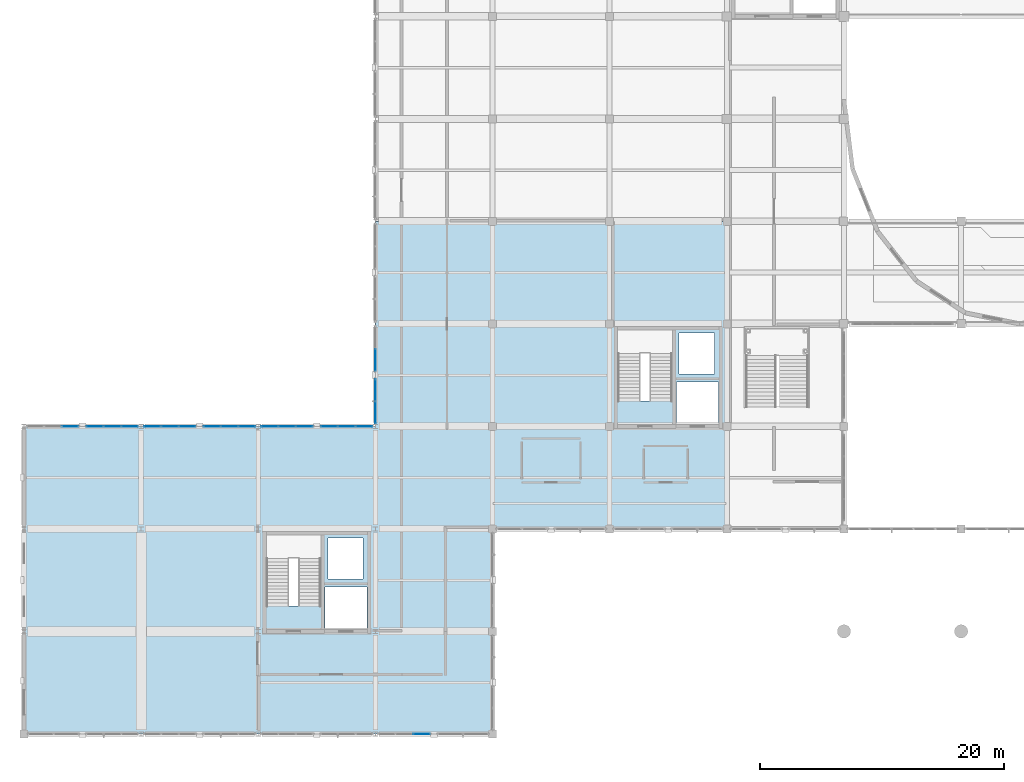
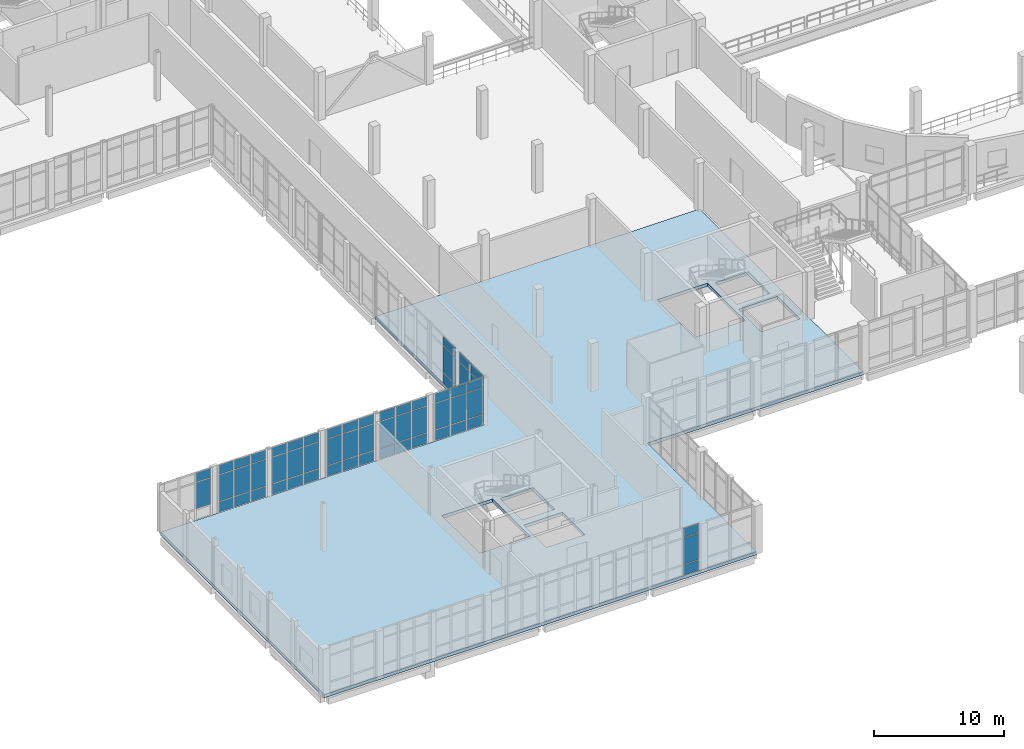
# One storey, part 75 of 102: 59 plates, 1 slab, 9 elements without a shape of their own.
"""IFC4 building model written with IfcOpenShell, lengths in metres."""

from ifc_helpers import new_model, si_unit, direction, frame, origin, origin_2d, place, context, subcontext, project, spatial, polyline, rectangle, outline, extrude, material, layer, layer_set, type_object, element, aggregate, save


model = new_model("IFC4")

# Units and contexts
model_context = context("Model", 3, precision=1e-05, world=origin(), true_north=direction((0.0, 1.0)))
body_context = subcontext(model_context, "Body", "Model", "MODEL_VIEW")
ifc_project = project(units=[si_unit("LENGTHUNIT", "METRE"), si_unit("AREAUNIT", "SQUARE_METRE"), si_unit("VOLUMEUNIT", "CUBIC_METRE"), si_unit("PLANEANGLEUNIT", "RADIAN"), si_unit("MASSUNIT", "GRAM", prefix="KILO")], contexts=[model_context])

# Site, building, storey
site_placement = place(None, origin())
site = spatial("IfcSite", under=ifc_project, at=site_placement, CompositionType="ELEMENT")
building_placement = place(site_placement, origin())
building = spatial("IfcBuilding", under=site, at=building_placement, Name="Lornevale Opera House", CompositionType="ELEMENT")
storey_placement = place(building_placement, frame((0.0, 0.0, 5.39990234375)))
storey = spatial("IfcBuildingStorey", under=building, at=storey_placement, Name="L02", CompositionType="ELEMENT", Elevation=5.39990234375)

# Curtain wall, plates
ifc_material_1 = material(Name="Anodized Oxide-Green Aluminium Framing", Category="aluminium")
ifc_layer_1 = layer(ifc_material_1, 0.175048828125)
ifc_layer_set_1 = layer_set([ifc_layer_1], Name="Anodized Oxide-Green Aluminium Framing")
curtain_wall_type = type_object("IfcCurtainWallType", Name="Chamber Cloister Curtain Wall M1700", PredefinedType="NOTDEFINED", material=ifc_layer_set_1)
curtain_wall_1_placement = place(storey_placement, origin())
curtain_wall_1 = element("IfcCurtainWall", 1, at=curtain_wall_1_placement, inside=storey, type_object=curtain_wall_type, Name="Chamber Cloister Curtain Wall M1700 CW-023", PredefinedType="NOTDEFINED")
ifc_material_2 = material(Name="Triple Low-E Insulated Glazing", Category="glass")
ifc_layer_2 = layer(ifc_material_2, 0.0419921875)
ifc_layer_set_2 = layer_set([ifc_layer_2], Name="Triple Low-E Insulated Glazing")
plate_type = type_object("IfcPlateType", Name="Ceramic Fritted Bird-Safe Panel 42", PredefinedType="CURTAIN_PANEL", material=ifc_layer_set_2)
plate_1_placement = place(storey_placement, frame((3.78271484375, 25.199951171875, 1.08251953125), z_axis=(0.0, 0.0, 1.0), x_axis=(1.0, 0.0, 0.0)))
plate_1 = element("IfcPlate", 2, at=plate_1_placement, type_object=plate_type, Name="Ceramic Fritted Bird-Safe Panel 42 CW0406", PredefinedType="CURTAIN_PANEL", context=body_context, shape_type="SweptSolid", body=[
    extrude(rectangle(XDim=1.3447265625, YDim=0.0419921875, at=origin_2d()), origin(), (0.0, 0.0, 1.0), 2.455078125),
])
plate_2_placement = place(storey_placement, frame((3.78271484375, 25.199951171875, 3.6025390625), z_axis=(0.0, 0.0, 1.0), x_axis=(1.0, 0.0, 0.0)))
plate_2 = element("IfcPlate", 3, at=plate_2_placement, type_object=plate_type, Name="Ceramic Fritted Bird-Safe Panel 42 CW0407", PredefinedType="CURTAIN_PANEL", context=body_context, shape_type="SweptSolid", body=[
    extrude(rectangle(XDim=1.3447265625, YDim=0.0419921875, at=origin_2d()), origin(), (0.0, 0.0, 1.0), 0.8525390625),
])
aggregate(curtain_wall_1, [plate_1, plate_2])

curtain_wall_2_placement = place(storey_placement, origin())
curtain_wall_2 = element("IfcCurtainWall", 4, at=curtain_wall_2_placement, inside=storey, type_object=curtain_wall_type, Name="Chamber Cloister Curtain Wall M1700 CW-024", PredefinedType="NOTDEFINED")
plate_3_placement = place(storey_placement, frame((5.8173828125, 25.199951171875, 0.0654296875), z_axis=(0.0, 0.0, 1.0), x_axis=(1.0, 0.0, 0.0)))
plate_3 = element("IfcPlate", 5, at=plate_3_placement, type_object=plate_type, Name="Ceramic Fritted Bird-Safe Panel 42 CW0416", PredefinedType="CURTAIN_PANEL", context=body_context, shape_type="SweptSolid", body=[
    extrude(rectangle(XDim=1.3447265625, YDim=0.0419921875, at=origin_2d()), origin(), (0.0, 0.0, 1.0), 0.952392578125),
])
plate_4_placement = place(storey_placement, frame((5.8173828125, 25.199951171875, 1.08251953125), z_axis=(0.0, 0.0, 1.0), x_axis=(1.0, 0.0, 0.0)))
plate_4 = element("IfcPlate", 6, at=plate_4_placement, type_object=plate_type, Name="Ceramic Fritted Bird-Safe Panel 42 CW0417", PredefinedType="CURTAIN_PANEL", context=body_context, shape_type="SweptSolid", body=[
    extrude(rectangle(XDim=1.3447265625, YDim=0.0419921875, at=origin_2d()), origin(), (0.0, 0.0, 1.0), 2.455078125),
])
plate_5_placement = place(storey_placement, frame((5.8173828125, 25.199951171875, 3.6025390625), z_axis=(0.0, 0.0, 1.0), x_axis=(1.0, 0.0, 0.0)))
plate_5 = element("IfcPlate", 7, at=plate_5_placement, type_object=plate_type, Name="Ceramic Fritted Bird-Safe Panel 42 CW0418", PredefinedType="CURTAIN_PANEL", context=body_context, shape_type="SweptSolid", body=[
    extrude(rectangle(XDim=1.3447265625, YDim=0.0419921875, at=origin_2d()), origin(), (0.0, 0.0, 1.0), 0.8525390625),
])
plate_6_placement = place(storey_placement, frame((7.243408203125, 25.199951171875, 0.0654296875), z_axis=(0.0, 0.0, 1.0), x_axis=(1.0, 0.0, 0.0)))
plate_6 = element("IfcPlate", 8, at=plate_6_placement, type_object=plate_type, Name="Ceramic Fritted Bird-Safe Panel 42 CW0423", PredefinedType="CURTAIN_PANEL", context=body_context, shape_type="SweptSolid", body=[
    extrude(rectangle(XDim=1.377197265625, YDim=0.0419921875, at=origin_2d()), origin(), (0.0, 0.0, 1.0), 0.952392578125),
])
plate_7_placement = place(storey_placement, frame((7.243408203125, 25.199951171875, 1.08251953125), z_axis=(0.0, 0.0, 1.0), x_axis=(1.0, 0.0, 0.0)))
plate_7 = element("IfcPlate", 9, at=plate_7_placement, type_object=plate_type, Name="Ceramic Fritted Bird-Safe Panel 42 CW0424", PredefinedType="CURTAIN_PANEL", context=body_context, shape_type="SweptSolid", body=[
    extrude(rectangle(XDim=1.377197265625, YDim=0.0419921875, at=origin_2d()), origin(), (0.0, 0.0, 1.0), 2.455078125),
])
plate_8_placement = place(storey_placement, frame((7.243408203125, 25.199951171875, 3.6025390625), z_axis=(0.0, 0.0, 1.0), x_axis=(1.0, 0.0, 0.0)))
plate_8 = element("IfcPlate", 10, at=plate_8_placement, type_object=plate_type, Name="Ceramic Fritted Bird-Safe Panel 42 CW0425", PredefinedType="CURTAIN_PANEL", context=body_context, shape_type="SweptSolid", body=[
    extrude(rectangle(XDim=1.377197265625, YDim=0.0419921875, at=origin_2d()), origin(), (0.0, 0.0, 1.0), 0.8525390625),
])
plate_9_placement = place(storey_placement, frame((8.669677734375, 25.199951171875, 0.0654296875), z_axis=(0.0, 0.0, 1.0), x_axis=(1.0, 0.0, 0.0)))
plate_9 = element("IfcPlate", 11, at=plate_9_placement, type_object=plate_type, Name="Ceramic Fritted Bird-Safe Panel 42 CW0430", PredefinedType="CURTAIN_PANEL", context=body_context, shape_type="SweptSolid", body=[
    extrude(rectangle(XDim=1.3447265625, YDim=0.0419921875, at=origin_2d()), origin(), (0.0, 0.0, 1.0), 0.952392578125),
])
plate_10_placement = place(storey_placement, frame((8.669677734375, 25.199951171875, 1.08251953125), z_axis=(0.0, 0.0, 1.0), x_axis=(1.0, 0.0, 0.0)))
plate_10 = element("IfcPlate", 12, at=plate_10_placement, type_object=plate_type, Name="Ceramic Fritted Bird-Safe Panel 42 CW0431", PredefinedType="CURTAIN_PANEL", context=body_context, shape_type="SweptSolid", body=[
    extrude(rectangle(XDim=1.3447265625, YDim=0.0419921875, at=origin_2d()), origin(), (0.0, 0.0, 1.0), 2.455078125),
])
plate_11_placement = place(storey_placement, frame((8.669677734375, 25.199951171875, 3.6025390625), z_axis=(0.0, 0.0, 1.0), x_axis=(1.0, 0.0, 0.0)))
plate_11 = element("IfcPlate", 13, at=plate_11_placement, type_object=plate_type, Name="Ceramic Fritted Bird-Safe Panel 42 CW0432", PredefinedType="CURTAIN_PANEL", context=body_context, shape_type="SweptSolid", body=[
    extrude(rectangle(XDim=1.3447265625, YDim=0.0419921875, at=origin_2d()), origin(), (0.0, 0.0, 1.0), 0.8525390625),
])
aggregate(curtain_wall_2, [plate_3, plate_4, plate_5, plate_6, plate_7, plate_8, plate_9, plate_10, plate_11])

curtain_wall_3_placement = place(storey_placement, origin())
curtain_wall_3 = element("IfcCurtainWall", 14, at=curtain_wall_3_placement, inside=storey, type_object=curtain_wall_type, Name="Chamber Cloister Curtain Wall M1700 CW-031", PredefinedType="NOTDEFINED")
plate_12_placement = place(storey_placement, frame((10.530517578125, 25.199951171875, 0.0654296875), z_axis=(0.0, 0.0, 1.0), x_axis=(1.0, 0.0, 0.0)))
plate_12 = element("IfcPlate", 15, at=plate_12_placement, type_object=plate_type, Name="Ceramic Fritted Bird-Safe Panel 42 CW0591", PredefinedType="CURTAIN_PANEL", context=body_context, shape_type="SweptSolid", body=[
    extrude(rectangle(XDim=1.3447265625, YDim=0.0419921875, at=origin_2d()), origin(), (0.0, 0.0, 1.0), 0.952392578125),
])
plate_13_placement = place(storey_placement, frame((10.530517578125, 25.199951171875, 1.08251953125), z_axis=(0.0, 0.0, 1.0), x_axis=(1.0, 0.0, 0.0)))
plate_13 = element("IfcPlate", 16, at=plate_13_placement, type_object=plate_type, Name="Ceramic Fritted Bird-Safe Panel 42 CW0592", PredefinedType="CURTAIN_PANEL", context=body_context, shape_type="SweptSolid", body=[
    extrude(rectangle(XDim=1.3447265625, YDim=0.0419921875, at=origin_2d()), origin(), (0.0, 0.0, 1.0), 2.455078125),
])
plate_14_placement = place(storey_placement, frame((10.530517578125, 25.199951171875, 3.6025390625), z_axis=(0.0, 0.0, 1.0), x_axis=(1.0, 0.0, 0.0)))
plate_14 = element("IfcPlate", 17, at=plate_14_placement, type_object=plate_type, Name="Ceramic Fritted Bird-Safe Panel 42 CW0593", PredefinedType="CURTAIN_PANEL", context=body_context, shape_type="SweptSolid", body=[
    extrude(rectangle(XDim=1.3447265625, YDim=0.0419921875, at=origin_2d()), origin(), (0.0, 0.0, 1.0), 0.8525390625),
])
plate_15_placement = place(storey_placement, frame((11.95654296875, 25.199951171875, 0.0654296875), z_axis=(0.0, 0.0, 1.0), x_axis=(1.0, 0.0, 0.0)))
plate_15 = element("IfcPlate", 18, at=plate_15_placement, type_object=plate_type, Name="Ceramic Fritted Bird-Safe Panel 42 CW0598", PredefinedType="CURTAIN_PANEL", context=body_context, shape_type="SweptSolid", body=[
    extrude(rectangle(XDim=1.377197265625, YDim=0.0419921875, at=origin_2d()), origin(), (0.0, 0.0, 1.0), 0.952392578125),
])
plate_16_placement = place(storey_placement, frame((11.95654296875, 25.199951171875, 1.08251953125), z_axis=(0.0, 0.0, 1.0), x_axis=(1.0, 0.0, 0.0)))
plate_16 = element("IfcPlate", 19, at=plate_16_placement, type_object=plate_type, Name="Ceramic Fritted Bird-Safe Panel 42 CW0599", PredefinedType="CURTAIN_PANEL", context=body_context, shape_type="SweptSolid", body=[
    extrude(rectangle(XDim=1.377197265625, YDim=0.0419921875, at=origin_2d()), origin(), (0.0, 0.0, 1.0), 2.455078125),
])
plate_17_placement = place(storey_placement, frame((11.95654296875, 25.199951171875, 3.6025390625), z_axis=(0.0, 0.0, 1.0), x_axis=(1.0, 0.0, 0.0)))
plate_17 = element("IfcPlate", 20, at=plate_17_placement, type_object=plate_type, Name="Ceramic Fritted Bird-Safe Panel 42 CW0600", PredefinedType="CURTAIN_PANEL", context=body_context, shape_type="SweptSolid", body=[
    extrude(rectangle(XDim=1.377197265625, YDim=0.0419921875, at=origin_2d()), origin(), (0.0, 0.0, 1.0), 0.8525390625),
])
plate_18_placement = place(storey_placement, frame((13.382568359375, 25.199951171875, 0.0654296875), z_axis=(0.0, 0.0, 1.0), x_axis=(1.0, 0.0, 0.0)))
plate_18 = element("IfcPlate", 21, at=plate_18_placement, type_object=plate_type, Name="Ceramic Fritted Bird-Safe Panel 42 CW0605", PredefinedType="CURTAIN_PANEL", context=body_context, shape_type="SweptSolid", body=[
    extrude(rectangle(XDim=1.3447265625, YDim=0.0419921875, at=origin_2d()), origin(), (0.0, 0.0, 1.0), 0.952392578125),
])
plate_19_placement = place(storey_placement, frame((13.382568359375, 25.199951171875, 1.08251953125), z_axis=(0.0, 0.0, 1.0), x_axis=(1.0, 0.0, 0.0)))
plate_19 = element("IfcPlate", 22, at=plate_19_placement, type_object=plate_type, Name="Ceramic Fritted Bird-Safe Panel 42 CW0606", PredefinedType="CURTAIN_PANEL", context=body_context, shape_type="SweptSolid", body=[
    extrude(rectangle(XDim=1.3447265625, YDim=0.0419921875, at=origin_2d()), origin(), (0.0, 0.0, 1.0), 2.455078125),
])
plate_20_placement = place(storey_placement, frame((13.382568359375, 25.199951171875, 3.6025390625), z_axis=(0.0, 0.0, 1.0), x_axis=(1.0, 0.0, 0.0)))
plate_20 = element("IfcPlate", 23, at=plate_20_placement, type_object=plate_type, Name="Ceramic Fritted Bird-Safe Panel 42 CW0607", PredefinedType="CURTAIN_PANEL", context=body_context, shape_type="SweptSolid", body=[
    extrude(rectangle(XDim=1.3447265625, YDim=0.0419921875, at=origin_2d()), origin(), (0.0, 0.0, 1.0), 0.8525390625),
])
aggregate(curtain_wall_3, [plate_12, plate_13, plate_14, plate_15, plate_16, plate_17, plate_18, plate_19, plate_20])

curtain_wall_4_placement = place(storey_placement, origin())
curtain_wall_4 = element("IfcCurtainWall", 24, at=curtain_wall_4_placement, inside=storey, type_object=curtain_wall_type, Name="Chamber Cloister Curtain Wall M1700 CW-032", PredefinedType="NOTDEFINED")
plate_21_placement = place(storey_placement, frame((15.41748046875, 25.199951171875, 0.0654296875), z_axis=(0.0, 0.0, 1.0), x_axis=(1.0, 0.0, 0.0)))
plate_21 = element("IfcPlate", 25, at=plate_21_placement, type_object=plate_type, Name="Ceramic Fritted Bird-Safe Panel 42 CW0616", PredefinedType="CURTAIN_PANEL", context=body_context, shape_type="SweptSolid", body=[
    extrude(rectangle(XDim=1.3447265625, YDim=0.0419921875, at=origin_2d()), origin(), (0.0, 0.0, 1.0), 0.952392578125),
])
plate_22_placement = place(storey_placement, frame((15.41748046875, 25.199951171875, 1.08251953125), z_axis=(0.0, 0.0, 1.0), x_axis=(1.0, 0.0, 0.0)))
plate_22 = element("IfcPlate", 26, at=plate_22_placement, type_object=plate_type, Name="Ceramic Fritted Bird-Safe Panel 42 CW0617", PredefinedType="CURTAIN_PANEL", context=body_context, shape_type="SweptSolid", body=[
    extrude(rectangle(XDim=1.3447265625, YDim=0.0419921875, at=origin_2d()), origin(), (0.0, 0.0, 1.0), 2.455078125),
])
plate_23_placement = place(storey_placement, frame((15.41748046875, 25.199951171875, 3.6025390625), z_axis=(0.0, 0.0, 1.0), x_axis=(1.0, 0.0, 0.0)))
plate_23 = element("IfcPlate", 27, at=plate_23_placement, type_object=plate_type, Name="Ceramic Fritted Bird-Safe Panel 42 CW0618", PredefinedType="CURTAIN_PANEL", context=body_context, shape_type="SweptSolid", body=[
    extrude(rectangle(XDim=1.3447265625, YDim=0.0419921875, at=origin_2d()), origin(), (0.0, 0.0, 1.0), 0.8525390625),
])
plate_24_placement = place(storey_placement, frame((16.843505859375, 25.199951171875, 0.0654296875), z_axis=(0.0, 0.0, 1.0), x_axis=(1.0, 0.0, 0.0)))
plate_24 = element("IfcPlate", 28, at=plate_24_placement, type_object=plate_type, Name="Ceramic Fritted Bird-Safe Panel 42 CW0623", PredefinedType="CURTAIN_PANEL", context=body_context, shape_type="SweptSolid", body=[
    extrude(rectangle(XDim=1.377197265625, YDim=0.0419921875, at=origin_2d()), origin(), (0.0, 0.0, 1.0), 0.952392578125),
])
plate_25_placement = place(storey_placement, frame((16.843505859375, 25.199951171875, 1.08251953125), z_axis=(0.0, 0.0, 1.0), x_axis=(1.0, 0.0, 0.0)))
plate_25 = element("IfcPlate", 29, at=plate_25_placement, type_object=plate_type, Name="Ceramic Fritted Bird-Safe Panel 42 CW0624", PredefinedType="CURTAIN_PANEL", context=body_context, shape_type="SweptSolid", body=[
    extrude(rectangle(XDim=1.377197265625, YDim=0.0419921875, at=origin_2d()), origin(), (0.0, 0.0, 1.0), 2.455078125),
])
plate_26_placement = place(storey_placement, frame((16.843505859375, 25.199951171875, 3.6025390625), z_axis=(0.0, 0.0, 1.0), x_axis=(1.0, 0.0, 0.0)))
plate_26 = element("IfcPlate", 30, at=plate_26_placement, type_object=plate_type, Name="Ceramic Fritted Bird-Safe Panel 42 CW0625", PredefinedType="CURTAIN_PANEL", context=body_context, shape_type="SweptSolid", body=[
    extrude(rectangle(XDim=1.377197265625, YDim=0.0419921875, at=origin_2d()), origin(), (0.0, 0.0, 1.0), 0.8525390625),
])
plate_27_placement = place(storey_placement, frame((18.26953125, 25.199951171875, 0.0654296875), z_axis=(0.0, 0.0, 1.0), x_axis=(1.0, 0.0, 0.0)))
plate_27 = element("IfcPlate", 31, at=plate_27_placement, type_object=plate_type, Name="Ceramic Fritted Bird-Safe Panel 42 CW0630", PredefinedType="CURTAIN_PANEL", context=body_context, shape_type="SweptSolid", body=[
    extrude(rectangle(XDim=1.3447265625, YDim=0.0419921875, at=origin_2d()), origin(), (0.0, 0.0, 1.0), 0.952392578125),
])
plate_28_placement = place(storey_placement, frame((18.26953125, 25.199951171875, 1.08251953125), z_axis=(0.0, 0.0, 1.0), x_axis=(1.0, 0.0, 0.0)))
plate_28 = element("IfcPlate", 32, at=plate_28_placement, type_object=plate_type, Name="Ceramic Fritted Bird-Safe Panel 42 CW0631", PredefinedType="CURTAIN_PANEL", context=body_context, shape_type="SweptSolid", body=[
    extrude(rectangle(XDim=1.3447265625, YDim=0.0419921875, at=origin_2d()), origin(), (0.0, 0.0, 1.0), 2.455078125),
])
plate_29_placement = place(storey_placement, frame((18.26953125, 25.199951171875, 3.6025390625), z_axis=(0.0, 0.0, 1.0), x_axis=(1.0, 0.0, 0.0)))
plate_29 = element("IfcPlate", 33, at=plate_29_placement, type_object=plate_type, Name="Ceramic Fritted Bird-Safe Panel 42 CW0632", PredefinedType="CURTAIN_PANEL", context=body_context, shape_type="SweptSolid", body=[
    extrude(rectangle(XDim=1.3447265625, YDim=0.0419921875, at=origin_2d()), origin(), (0.0, 0.0, 1.0), 0.8525390625),
])
aggregate(curtain_wall_4, [plate_21, plate_22, plate_23, plate_24, plate_25, plate_26, plate_27, plate_28, plate_29])

curtain_wall_5_placement = place(storey_placement, origin())
curtain_wall_5 = element("IfcCurtainWall", 34, at=curtain_wall_5_placement, inside=storey, type_object=curtain_wall_type, Name="Chamber Cloister Curtain Wall M1700 CW-039", PredefinedType="NOTDEFINED")
plate_30_placement = place(storey_placement, frame((20.13037109375, 25.199951171875, 0.0654296875), z_axis=(0.0, 0.0, 1.0), x_axis=(1.0, 0.0, 0.0)))
plate_30 = element("IfcPlate", 35, at=plate_30_placement, type_object=plate_type, Name="Ceramic Fritted Bird-Safe Panel 42 CW0791", PredefinedType="CURTAIN_PANEL", context=body_context, shape_type="SweptSolid", body=[
    extrude(rectangle(XDim=1.3447265625, YDim=0.0419921875, at=origin_2d()), origin(), (0.0, 0.0, 1.0), 0.952392578125),
])
plate_31_placement = place(storey_placement, frame((20.13037109375, 25.199951171875, 1.08251953125), z_axis=(0.0, 0.0, 1.0), x_axis=(1.0, 0.0, 0.0)))
plate_31 = element("IfcPlate", 36, at=plate_31_placement, type_object=plate_type, Name="Ceramic Fritted Bird-Safe Panel 42 CW0792", PredefinedType="CURTAIN_PANEL", context=body_context, shape_type="SweptSolid", body=[
    extrude(rectangle(XDim=1.3447265625, YDim=0.0419921875, at=origin_2d()), origin(), (0.0, 0.0, 1.0), 2.455078125),
])
plate_32_placement = place(storey_placement, frame((20.13037109375, 25.199951171875, 3.6025390625), z_axis=(0.0, 0.0, 1.0), x_axis=(1.0, 0.0, 0.0)))
plate_32 = element("IfcPlate", 37, at=plate_32_placement, type_object=plate_type, Name="Ceramic Fritted Bird-Safe Panel 42 CW0793", PredefinedType="CURTAIN_PANEL", context=body_context, shape_type="SweptSolid", body=[
    extrude(rectangle(XDim=1.3447265625, YDim=0.0419921875, at=origin_2d()), origin(), (0.0, 0.0, 1.0), 0.8525390625),
])
plate_33_placement = place(storey_placement, frame((21.556396484375, 25.199951171875, 0.0654296875), z_axis=(0.0, 0.0, 1.0), x_axis=(1.0, 0.0, 0.0)))
plate_33 = element("IfcPlate", 38, at=plate_33_placement, type_object=plate_type, Name="Ceramic Fritted Bird-Safe Panel 42 CW0798", PredefinedType="CURTAIN_PANEL", context=body_context, shape_type="SweptSolid", body=[
    extrude(rectangle(XDim=1.377197265625, YDim=0.0419921875, at=origin_2d()), origin(), (0.0, 0.0, 1.0), 0.952392578125),
])
plate_34_placement = place(storey_placement, frame((21.556396484375, 25.199951171875, 1.08251953125), z_axis=(0.0, 0.0, 1.0), x_axis=(1.0, 0.0, 0.0)))
plate_34 = element("IfcPlate", 39, at=plate_34_placement, type_object=plate_type, Name="Ceramic Fritted Bird-Safe Panel 42 CW0799", PredefinedType="CURTAIN_PANEL", context=body_context, shape_type="SweptSolid", body=[
    extrude(rectangle(XDim=1.377197265625, YDim=0.0419921875, at=origin_2d()), origin(), (0.0, 0.0, 1.0), 2.455078125),
])
plate_35_placement = place(storey_placement, frame((21.556396484375, 25.199951171875, 3.6025390625), z_axis=(0.0, 0.0, 1.0), x_axis=(1.0, 0.0, 0.0)))
plate_35 = element("IfcPlate", 40, at=plate_35_placement, type_object=plate_type, Name="Ceramic Fritted Bird-Safe Panel 42 CW0800", PredefinedType="CURTAIN_PANEL", context=body_context, shape_type="SweptSolid", body=[
    extrude(rectangle(XDim=1.377197265625, YDim=0.0419921875, at=origin_2d()), origin(), (0.0, 0.0, 1.0), 0.8525390625),
])
plate_36_placement = place(storey_placement, frame((22.982666015625, 25.199951171875, 0.0654296875), z_axis=(0.0, 0.0, 1.0), x_axis=(1.0, 0.0, 0.0)))
plate_36 = element("IfcPlate", 41, at=plate_36_placement, type_object=plate_type, Name="Ceramic Fritted Bird-Safe Panel 42 CW0805", PredefinedType="CURTAIN_PANEL", context=body_context, shape_type="SweptSolid", body=[
    extrude(rectangle(XDim=1.3447265625, YDim=0.0419921875, at=origin_2d()), origin(), (0.0, 0.0, 1.0), 0.952392578125),
])
plate_37_placement = place(storey_placement, frame((22.982666015625, 25.199951171875, 1.08251953125), z_axis=(0.0, 0.0, 1.0), x_axis=(1.0, 0.0, 0.0)))
plate_37 = element("IfcPlate", 42, at=plate_37_placement, type_object=plate_type, Name="Ceramic Fritted Bird-Safe Panel 42 CW0806", PredefinedType="CURTAIN_PANEL", context=body_context, shape_type="SweptSolid", body=[
    extrude(rectangle(XDim=1.3447265625, YDim=0.0419921875, at=origin_2d()), origin(), (0.0, 0.0, 1.0), 2.455078125),
])
plate_38_placement = place(storey_placement, frame((22.982666015625, 25.199951171875, 3.6025390625), z_axis=(0.0, 0.0, 1.0), x_axis=(1.0, 0.0, 0.0)))
plate_38 = element("IfcPlate", 43, at=plate_38_placement, type_object=plate_type, Name="Ceramic Fritted Bird-Safe Panel 42 CW0807", PredefinedType="CURTAIN_PANEL", context=body_context, shape_type="SweptSolid", body=[
    extrude(rectangle(XDim=1.3447265625, YDim=0.0419921875, at=origin_2d()), origin(), (0.0, 0.0, 1.0), 0.8525390625),
])
aggregate(curtain_wall_5, [plate_30, plate_31, plate_32, plate_33, plate_34, plate_35, plate_36, plate_37, plate_38])

curtain_wall_6_placement = place(storey_placement, origin())
curtain_wall_6 = element("IfcCurtainWall", 44, at=curtain_wall_6_placement, inside=storey, type_object=curtain_wall_type, Name="Chamber Cloister Curtain Wall M1700 CW-040", PredefinedType="NOTDEFINED")
plate_39_placement = place(storey_placement, frame((25.017333984375, 25.199951171875, 0.0654296875), z_axis=(0.0, 0.0, 1.0), x_axis=(1.0, 0.0, 0.0)))
plate_39 = element("IfcPlate", 45, at=plate_39_placement, type_object=plate_type, Name="Ceramic Fritted Bird-Safe Panel 42 CW0816", PredefinedType="CURTAIN_PANEL", context=body_context, shape_type="SweptSolid", body=[
    extrude(rectangle(XDim=1.3447265625, YDim=0.0419921875, at=origin_2d()), origin(), (0.0, 0.0, 1.0), 0.952392578125),
])
plate_40_placement = place(storey_placement, frame((25.017333984375, 25.199951171875, 1.08251953125), z_axis=(0.0, 0.0, 1.0), x_axis=(1.0, 0.0, 0.0)))
plate_40 = element("IfcPlate", 46, at=plate_40_placement, type_object=plate_type, Name="Ceramic Fritted Bird-Safe Panel 42 CW0817", PredefinedType="CURTAIN_PANEL", context=body_context, shape_type="SweptSolid", body=[
    extrude(rectangle(XDim=1.3447265625, YDim=0.0419921875, at=origin_2d()), origin(), (0.0, 0.0, 1.0), 2.455078125),
])
plate_41_placement = place(storey_placement, frame((25.017333984375, 25.199951171875, 3.6025390625), z_axis=(0.0, 0.0, 1.0), x_axis=(1.0, 0.0, 0.0)))
plate_41 = element("IfcPlate", 47, at=plate_41_placement, type_object=plate_type, Name="Ceramic Fritted Bird-Safe Panel 42 CW0818", PredefinedType="CURTAIN_PANEL", context=body_context, shape_type="SweptSolid", body=[
    extrude(rectangle(XDim=1.3447265625, YDim=0.0419921875, at=origin_2d()), origin(), (0.0, 0.0, 1.0), 0.8525390625),
])
plate_42_placement = place(storey_placement, frame((26.443603515625, 25.199951171875, 0.0654296875), z_axis=(0.0, 0.0, 1.0), x_axis=(1.0, 0.0, 0.0)))
plate_42 = element("IfcPlate", 48, at=plate_42_placement, type_object=plate_type, Name="Ceramic Fritted Bird-Safe Panel 42 CW0823", PredefinedType="CURTAIN_PANEL", context=body_context, shape_type="SweptSolid", body=[
    extrude(rectangle(XDim=1.377197265625, YDim=0.0419921875, at=origin_2d()), origin(), (0.0, 0.0, 1.0), 0.952392578125),
])
plate_43_placement = place(storey_placement, frame((26.443603515625, 25.199951171875, 1.08251953125), z_axis=(0.0, 0.0, 1.0), x_axis=(1.0, 0.0, 0.0)))
plate_43 = element("IfcPlate", 49, at=plate_43_placement, type_object=plate_type, Name="Ceramic Fritted Bird-Safe Panel 42 CW0824", PredefinedType="CURTAIN_PANEL", context=body_context, shape_type="SweptSolid", body=[
    extrude(rectangle(XDim=1.377197265625, YDim=0.0419921875, at=origin_2d()), origin(), (0.0, 0.0, 1.0), 2.455078125),
])
plate_44_placement = place(storey_placement, frame((26.443603515625, 25.199951171875, 3.6025390625), z_axis=(0.0, 0.0, 1.0), x_axis=(1.0, 0.0, 0.0)))
plate_44 = element("IfcPlate", 50, at=plate_44_placement, type_object=plate_type, Name="Ceramic Fritted Bird-Safe Panel 42 CW0825", PredefinedType="CURTAIN_PANEL", context=body_context, shape_type="SweptSolid", body=[
    extrude(rectangle(XDim=1.377197265625, YDim=0.0419921875, at=origin_2d()), origin(), (0.0, 0.0, 1.0), 0.8525390625),
])
plate_45_placement = place(storey_placement, frame((27.86962890625, 25.199951171875, 0.0654296875), z_axis=(0.0, 0.0, 1.0), x_axis=(1.0, 0.0, 0.0)))
plate_45 = element("IfcPlate", 51, at=plate_45_placement, type_object=plate_type, Name="Ceramic Fritted Bird-Safe Panel 42 CW0830", PredefinedType="CURTAIN_PANEL", context=body_context, shape_type="SweptSolid", body=[
    extrude(rectangle(XDim=1.3447265625, YDim=0.0419921875, at=origin_2d()), origin(), (0.0, 0.0, 1.0), 0.952392578125),
])
plate_46_placement = place(storey_placement, frame((27.86962890625, 25.199951171875, 1.08251953125), z_axis=(0.0, 0.0, 1.0), x_axis=(1.0, 0.0, 0.0)))
plate_46 = element("IfcPlate", 52, at=plate_46_placement, type_object=plate_type, Name="Ceramic Fritted Bird-Safe Panel 42 CW0831", PredefinedType="CURTAIN_PANEL", context=body_context, shape_type="SweptSolid", body=[
    extrude(rectangle(XDim=1.3447265625, YDim=0.0419921875, at=origin_2d()), origin(), (0.0, 0.0, 1.0), 2.455078125),
])
plate_47_placement = place(storey_placement, frame((27.86962890625, 25.199951171875, 3.6025390625), z_axis=(0.0, 0.0, 1.0), x_axis=(1.0, 0.0, 0.0)))
plate_47 = element("IfcPlate", 53, at=plate_47_placement, type_object=plate_type, Name="Ceramic Fritted Bird-Safe Panel 42 CW0832", PredefinedType="CURTAIN_PANEL", context=body_context, shape_type="SweptSolid", body=[
    extrude(rectangle(XDim=1.3447265625, YDim=0.0419921875, at=origin_2d()), origin(), (0.0, 0.0, 1.0), 0.8525390625),
])
aggregate(curtain_wall_6, [plate_39, plate_40, plate_41, plate_42, plate_43, plate_44, plate_45, plate_46, plate_47])

curtain_wall_7_placement = place(storey_placement, origin())
curtain_wall_7 = element("IfcCurtainWall", 54, at=curtain_wall_7_placement, inside=storey, type_object=curtain_wall_type, Name="Chamber Cloister Curtain Wall M1700 CW-046", PredefinedType="NOTDEFINED")
plate_48_placement = place(storey_placement, frame((32.58251953125, 0.0, 0.0654296875), z_axis=(0.0, 0.0, 1.0), x_axis=(-1.0, 0.0, 0.0)))
plate_48 = element("IfcPlate", 55, at=plate_48_placement, type_object=plate_type, Name="Ceramic Fritted Bird-Safe Panel 42 CW0958", PredefinedType="CURTAIN_PANEL", context=body_context, shape_type="SweptSolid", body=[
    extrude(rectangle(XDim=1.3447265625, YDim=0.0419921875, at=origin_2d()), origin(), (0.0, 0.0, 1.0), 0.952392578125),
])
plate_49_placement = place(storey_placement, frame((32.58251953125, 0.0, 1.08251953125), z_axis=(0.0, 0.0, 1.0), x_axis=(-1.0, 0.0, 0.0)))
plate_49 = element("IfcPlate", 56, at=plate_49_placement, type_object=plate_type, Name="Ceramic Fritted Bird-Safe Panel 42 CW0959", PredefinedType="CURTAIN_PANEL", context=body_context, shape_type="SweptSolid", body=[
    extrude(rectangle(XDim=1.3447265625, YDim=0.0419921875, at=origin_2d()), origin(), (0.0, 0.0, 1.0), 2.455078125),
])
plate_50_placement = place(storey_placement, frame((32.58251953125, 0.0, 3.6025390625), z_axis=(0.0, 0.0, 1.0), x_axis=(-1.0, 0.0, 0.0)))
plate_50 = element("IfcPlate", 57, at=plate_50_placement, type_object=plate_type, Name="Ceramic Fritted Bird-Safe Panel 42 CW0960", PredefinedType="CURTAIN_PANEL", context=body_context, shape_type="SweptSolid", body=[
    extrude(rectangle(XDim=1.3447265625, YDim=0.0419921875, at=origin_2d()), origin(), (0.0, 0.0, 1.0), 0.8525390625),
])
aggregate(curtain_wall_7, [plate_48, plate_49, plate_50])

curtain_wall_8_placement = place(storey_placement, origin())
curtain_wall_8 = element("IfcCurtainWall", 58, at=curtain_wall_8_placement, inside=storey, type_object=curtain_wall_type, Name="Chamber Cloister Curtain Wall M1700 CW-051", PredefinedType="NOTDEFINED")
plate_51_placement = place(storey_placement, frame((28.800048828125, 26.333984375, 0.0654296875), z_axis=(0.0, 0.0, 1.0), x_axis=(0.0, 1.0, 0.0)))
plate_51 = element("IfcPlate", 59, at=plate_51_placement, type_object=plate_type, Name="Ceramic Fritted Bird-Safe Panel 42 CW1050", PredefinedType="CURTAIN_PANEL", context=body_context, shape_type="SweptSolid", body=[
    extrude(rectangle(XDim=1.770751953125, YDim=0.0419921875, at=origin_2d()), origin(), (0.0, 0.0, 1.0), 0.952392578125),
])
plate_52_placement = place(storey_placement, frame((28.800048828125, 26.333984375, 1.08251953125), z_axis=(0.0, 0.0, 1.0), x_axis=(0.0, 1.0, 0.0)))
plate_52 = element("IfcPlate", 60, at=plate_52_placement, type_object=plate_type, Name="Ceramic Fritted Bird-Safe Panel 42 CW1051", PredefinedType="CURTAIN_PANEL", context=body_context, shape_type="SweptSolid", body=[
    extrude(rectangle(XDim=1.770751953125, YDim=0.0419921875, at=origin_2d()), origin(), (0.0, 0.0, 1.0), 2.455078125),
])
plate_53_placement = place(storey_placement, frame((28.800048828125, 26.333984375, 3.6025390625), z_axis=(0.0, 0.0, 1.0), x_axis=(0.0, 1.0, 0.0)))
plate_53 = element("IfcPlate", 61, at=plate_53_placement, type_object=plate_type, Name="Ceramic Fritted Bird-Safe Panel 42 CW1052", PredefinedType="CURTAIN_PANEL", context=body_context, shape_type="SweptSolid", body=[
    extrude(rectangle(XDim=1.770751953125, YDim=0.0419921875, at=origin_2d()), origin(), (0.0, 0.0, 1.0), 0.8525390625),
])
plate_54_placement = place(storey_placement, frame((28.800048828125, 28.169677734375, 0.0654296875), z_axis=(0.0, 0.0, 1.0), x_axis=(0.0, 1.0, 0.0)))
plate_54 = element("IfcPlate", 62, at=plate_54_placement, type_object=plate_type, Name="Ceramic Fritted Bird-Safe Panel 42 CW1057", PredefinedType="CURTAIN_PANEL", context=body_context, shape_type="SweptSolid", body=[
    extrude(rectangle(XDim=1.770751953125, YDim=0.0419921875, at=origin_2d()), origin(), (0.0, 0.0, 1.0), 0.952392578125),
])
plate_55_placement = place(storey_placement, frame((28.800048828125, 28.169677734375, 1.08251953125), z_axis=(0.0, 0.0, 1.0), x_axis=(0.0, 1.0, 0.0)))
plate_55 = element("IfcPlate", 63, at=plate_55_placement, type_object=plate_type, Name="Ceramic Fritted Bird-Safe Panel 42 CW1058", PredefinedType="CURTAIN_PANEL", context=body_context, shape_type="SweptSolid", body=[
    extrude(rectangle(XDim=1.770751953125, YDim=0.0419921875, at=origin_2d()), origin(), (0.0, 0.0, 1.0), 2.455078125),
])
plate_56_placement = place(storey_placement, frame((28.800048828125, 28.169677734375, 3.6025390625), z_axis=(0.0, 0.0, 1.0), x_axis=(0.0, 1.0, 0.0)))
plate_56 = element("IfcPlate", 64, at=plate_56_placement, type_object=plate_type, Name="Ceramic Fritted Bird-Safe Panel 42 CW1059", PredefinedType="CURTAIN_PANEL", context=body_context, shape_type="SweptSolid", body=[
    extrude(rectangle(XDim=1.770751953125, YDim=0.0419921875, at=origin_2d()), origin(), (0.0, 0.0, 1.0), 0.8525390625),
])
aggregate(curtain_wall_8, [plate_51, plate_52, plate_53, plate_54, plate_55, plate_56])

curtain_wall_9_placement = place(storey_placement, origin())
curtain_wall_9 = element("IfcCurtainWall", 65, at=curtain_wall_9_placement, inside=storey, type_object=curtain_wall_type, Name="Chamber Cloister Curtain Wall M1700 CW-052", PredefinedType="NOTDEFINED")
plate_57_placement = place(storey_placement, frame((28.800048828125, 30.636962890625, 0.0654296875), z_axis=(0.0, 0.0, 1.0), x_axis=(0.0, 1.0, 0.0)))
plate_57 = element("IfcPlate", 66, at=plate_57_placement, type_object=plate_type, Name="Ceramic Fritted Bird-Safe Panel 42 CW1067", PredefinedType="CURTAIN_PANEL", context=body_context, shape_type="SweptSolid", body=[
    extrude(rectangle(XDim=1.78369140625, YDim=0.0419921875, at=origin_2d()), origin(), (0.0, 0.0, 1.0), 0.952392578125),
])
plate_58_placement = place(storey_placement, frame((28.800048828125, 30.636962890625, 1.08251953125), z_axis=(0.0, 0.0, 1.0), x_axis=(0.0, 1.0, 0.0)))
plate_58 = element("IfcPlate", 67, at=plate_58_placement, type_object=plate_type, Name="Ceramic Fritted Bird-Safe Panel 42 CW1068", PredefinedType="CURTAIN_PANEL", context=body_context, shape_type="SweptSolid", body=[
    extrude(rectangle(XDim=1.78369140625, YDim=0.0419921875, at=origin_2d()), origin(), (0.0, 0.0, 1.0), 2.455078125),
])
plate_59_placement = place(storey_placement, frame((28.800048828125, 30.636962890625, 3.6025390625), z_axis=(0.0, 0.0, 1.0), x_axis=(0.0, 1.0, 0.0)))
plate_59 = element("IfcPlate", 68, at=plate_59_placement, type_object=plate_type, Name="Ceramic Fritted Bird-Safe Panel 42 CW1069", PredefinedType="CURTAIN_PANEL", context=body_context, shape_type="SweptSolid", body=[
    extrude(rectangle(XDim=1.78369140625, YDim=0.0419921875, at=origin_2d()), origin(), (0.0, 0.0, 1.0), 0.8525390625),
])
aggregate(curtain_wall_9, [plate_57, plate_58, plate_59])

# Slab
ifc_material_3 = material(Name="Concrete 35 MPa (CSA A23.1 N)", Category="concrete")
ifc_layer_3 = layer(ifc_material_3, 0.300048828125)
ifc_layer_set_3 = layer_set([ifc_layer_3], Name="Concrete 35 MPa (CSA A23.1 N)")
slab_type = type_object("IfcSlabType", Name="Parterre Gallery Floor Slab 300", PredefinedType="FLOOR", material=ifc_layer_set_3)
slab_placement = place(storey_placement, frame((0.0, 0.0, -0.2998046875)))
element("IfcSlab", 69, at=slab_placement, inside=storey, type_object=slab_type, Name="Parterre Gallery Floor Slab 300 SL-034", PredefinedType="FLOOR", context=body_context, shape_type="SweptSolid", body=[
    extrude(outline(polyline([(0.0, 25.199951171875), (9.60009765625, 25.199951171875), (19.199951171875, 25.199951171875), (28.800048828125, 25.199951171875), (28.800048828125, 33.60009765625), (28.800048828125, 42.0), (38.39990234375, 42.0), (48.0, 42.0), (57.60009765625, 42.0), (57.60009765625, 33.60009765625), (57.60009765625, 25.199951171875), (57.60009765625, 16.800048828125), (48.0, 16.800048828125), (38.39990234375, 16.800048828125), (38.39990234375, 8.39990234375), (38.39990234375, 0.0), (28.800048828125, 0.0), (19.199951171875, 0.0), (9.60009765625, 0.0), (0.0, 0.0), (0.0, 8.39990234375), (0.0, 16.800048828125), (0.0, 25.199951171875)]), holes=[polyline([(53.4599609375, 25.3798828125), (56.919921875, 25.3798828125), (56.919921875, 28.840087890625), (53.4599609375, 28.840087890625), (53.4599609375, 25.3798828125)]), polyline([(48.659912109375, 27.280029296875), (53.139892578125, 27.280029296875), (53.139892578125, 33.080078125), (48.659912109375, 33.080078125), (48.659912109375, 27.280029296875)]), polyline([(24.659912109375, 8.580078125), (28.1201171875, 8.580078125), (28.1201171875, 12.0400390625), (24.659912109375, 12.0400390625), (24.659912109375, 8.580078125)]), polyline([(19.860107421875, 10.47998046875), (24.340087890625, 10.47998046875), (24.340087890625, 16.280029296875), (19.860107421875, 16.280029296875), (19.860107421875, 10.47998046875)]), polyline([(53.699951171875, 29.5), (56.60009765625, 29.5), (56.60009765625, 32.840087890625), (53.699951171875, 32.840087890625), (53.699951171875, 29.5)]), polyline([(24.89990234375, 12.699951171875), (27.800048828125, 12.699951171875), (27.800048828125, 16.0400390625), (24.89990234375, 16.0400390625), (24.89990234375, 12.699951171875)])]), origin(), (0.0, 0.0, 1.0), 0.2998046875),
])

save(model, "model.ifc")
